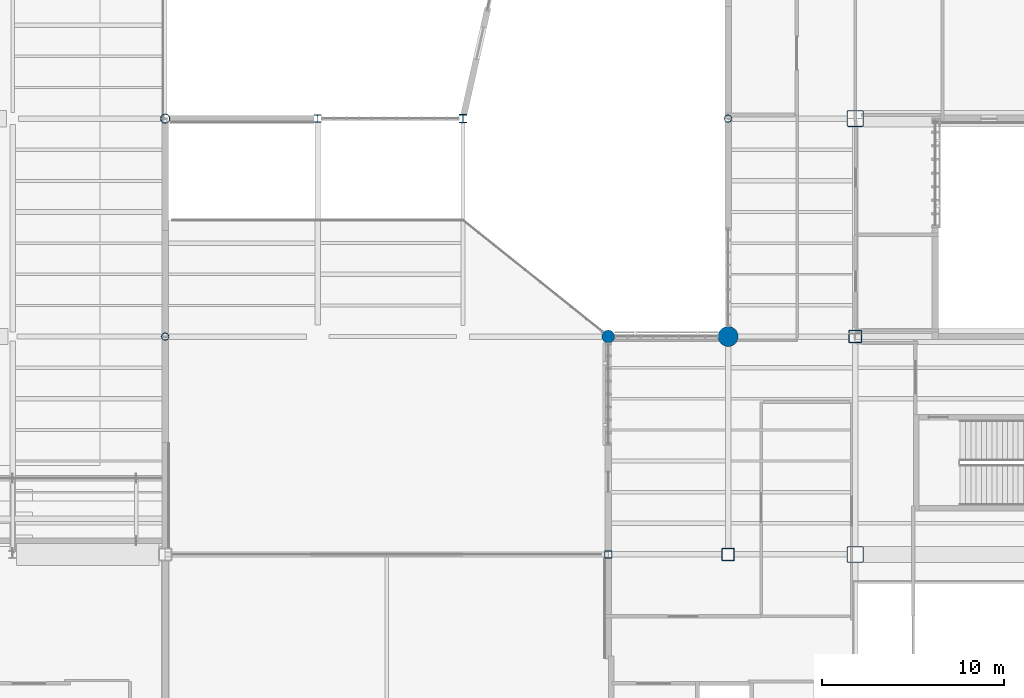
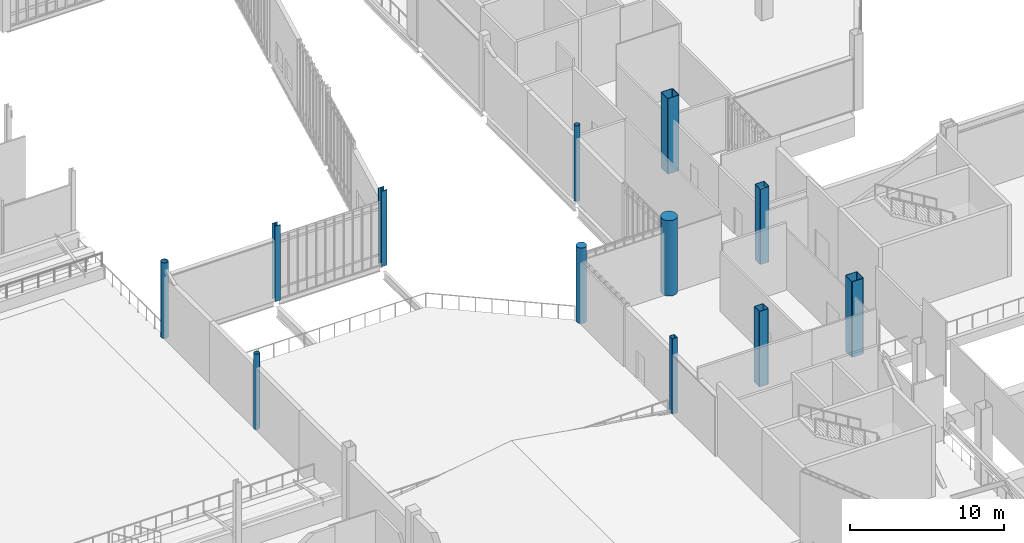
# One storey, part 4 of 135: 12 columns.
"""IFC4 building model written with IfcOpenShell, lengths in metres."""

from ifc_helpers import new_model, si_unit, direction, frame, origin, origin_2d, place, context, subcontext, project, spatial, hollow_rectangle, circle, hollow_circle, i_section, extrude, material, material_profile, profile_set, type_object, element, save


model = new_model("IFC4")

# Units and contexts
model_context = context("Model", 3, precision=1e-05, world=origin(), true_north=direction((0.0, 1.0)))
body_context = subcontext(model_context, "Body", "Model", "MODEL_VIEW")
ifc_project = project(units=[si_unit("LENGTHUNIT", "METRE"), si_unit("AREAUNIT", "SQUARE_METRE"), si_unit("VOLUMEUNIT", "CUBIC_METRE"), si_unit("PLANEANGLEUNIT", "RADIAN"), si_unit("MASSUNIT", "GRAM", prefix="KILO")], contexts=[model_context])

# Site, building, storey
site_placement = place(None, origin())
site = spatial("IfcSite", under=ifc_project, at=site_placement, CompositionType="ELEMENT")
building_placement = place(site_placement, origin())
building = spatial("IfcBuilding", under=site, at=building_placement, Name="Larkvane Passage Sports Hall", CompositionType="ELEMENT")
storey_placement = place(building_placement, frame((0.0, 0.0, 10.800048828125)))
storey = spatial("IfcBuildingStorey", under=building, at=storey_placement, Name="L02", CompositionType="ELEMENT", Elevation=10.800048828125)

# Columns
ifc_material_1 = material(Name="Concrete C50/60", Category="concrete")
ifc_material_profile_1 = material_profile(ifc_material_1, circle(Radius=0.550048828125, at=origin_2d()), Name="RC-CIR-1100")
ifc_profile_set_1 = profile_set([ifc_material_profile_1], Name="Concrete C50/60")
column_type_1 = type_object("IfcColumnType", Name="COL-CIR-1100", PredefinedType="COLUMN", material=ifc_profile_set_1)
column_1_placement = place(storey_placement, frame((124.60009765625, 51.60009765625, 0.0), z_axis=(0.0, 0.0, 1.0), x_axis=(1.0, 0.0, 0.0)))
element("IfcColumn", 1, at=column_1_placement, inside=storey, type_object=column_type_1, Name="Column 17/G L02", PredefinedType="COLUMN", context=body_context, shape_type="SweptSolid", body=[
    extrude(circle(Radius=0.550048828125, at=origin_2d()), origin(), (0.0, 0.0, 1.0), 6.0),
])
ifc_material_2 = material(Name="Concrete C40/50", Category="concrete")
ifc_material_profile_2 = material_profile(ifc_material_2, circle(Radius=0.35009765625, at=origin_2d()), Name="RC-CIR-700")
ifc_profile_set_2 = profile_set([ifc_material_profile_2], Name="Concrete C40/50")
column_type_2 = type_object("IfcColumnType", Name="COL-CIR-700", PredefinedType="COLUMN", material=ifc_profile_set_2)
column_2_placement = place(storey_placement, frame((118.0, 51.60009765625, 0.0), z_axis=(0.0, 0.0, 1.0), x_axis=(1.0, 0.0, 0.0)))
element("IfcColumn", 2, at=column_2_placement, inside=storey, type_object=column_type_2, Name="Column 16/G L02", PredefinedType="COLUMN", context=body_context, shape_type="SweptSolid", body=[
    extrude(circle(Radius=0.35009765625, at=origin_2d()), origin(), (0.0, 0.0, 1.0), 6.0),
])
ifc_material_3 = material(Name="Steel S460N", Category="steel")
ifc_material_profile_3 = material_profile(ifc_material_3, hollow_rectangle(XDim=0.699951171875, YDim=0.699951171875, WallThickness=0.028076171875, InnerFilletRadius=0.028076171875, OuterFilletRadius=0.055908203125, at=origin_2d()), Name="BOX-700x700x28")
ifc_profile_set_3 = profile_set([ifc_material_profile_3], Name="Steel S460N")
column_type_3 = type_object("IfcColumnType", Name="COL-STL-BOX700", PredefinedType="COLUMN", material=ifc_profile_set_3)
for number, where, z_axis, x_axis, name in (
    (3, (124.60009765625, 39.60009765625, 0.0), (0.0, 0.0, 1.0), (1.0, 0.0, 0.0), "Column 17/F L02"),
    (4, (131.60009765625, 51.60009765625, 0.0), (0.0, 0.0, 1.0), (1.0, 0.0, 0.0), "Column 18/G L02"),
):
    element("IfcColumn", number, at=place(storey_placement, frame(where, z_axis=z_axis, x_axis=x_axis)), inside=storey, type_object=column_type_3, Name=name, PredefinedType="COLUMN", context=body_context, shape_type="SweptSolid", body=[
        extrude(hollow_rectangle(XDim=0.699951171875, YDim=0.699951171875, WallThickness=0.028076171875, InnerFilletRadius=0.028076171875, OuterFilletRadius=0.055908203125, at=origin_2d()), origin(), (0.0, 0.0, 1.0), 6.0),
    ])
ifc_material_profile_4 = material_profile(ifc_material_3, hollow_rectangle(XDim=0.89990234375, YDim=0.89990234375, WallThickness=0.035888671875, InnerFilletRadius=0.035888671875, OuterFilletRadius=0.072021484375, at=origin_2d()), Name="BOX-900x900x36")
ifc_profile_set_4 = profile_set([ifc_material_profile_4], Name="Steel S460N")
column_type_4 = type_object("IfcColumnType", Name="COL-STL-BOX900", PredefinedType="COLUMN", material=ifc_profile_set_4)
for number, where, z_axis, x_axis, name in (
    (5, (131.60009765625, 39.60009765625, 0.0), (0.0, 0.0, 1.0), (1.0, 0.0, 0.0), "Column 18/F L02"),
    (6, (131.60009765625, 63.60009765625, 0.0), (0.0, 0.0, 1.0), (1.0, 0.0, 0.0), "Column 18/H L02"),
):
    element("IfcColumn", number, at=place(storey_placement, frame(where, z_axis=z_axis, x_axis=x_axis)), inside=storey, type_object=column_type_4, Name=name, PredefinedType="COLUMN", context=body_context, shape_type="SweptSolid", body=[
        extrude(hollow_rectangle(XDim=0.89990234375, YDim=0.89990234375, WallThickness=0.035888671875, InnerFilletRadius=0.035888671875, OuterFilletRadius=0.072021484375, at=origin_2d()), origin(), (0.0, 0.0, 1.0), 6.0),
    ])
ifc_material_4 = material(Name="Steel S355JR", Category="steel")
ifc_material_profile_5 = material_profile(ifc_material_4, hollow_circle(Radius=0.203125, WallThickness=0.01611328125, at=origin_2d()), Name="CHS-406.4x16.0")
ifc_profile_set_5 = profile_set([ifc_material_profile_5], Name="Steel S355JR")
column_type_5 = type_object("IfcColumnType", Name="COL-STL-CHS406", PredefinedType="COLUMN", material=ifc_profile_set_5)
for number, where, z_axis, x_axis, name in (
    (7, (93.60009765625, 51.60009765625, 0.0), (0.0, 0.0, 1.0), (1.0, 0.0, 0.0), "Column 13/G L02"),
    (8, (124.60009765625, 63.60009765625, 0.0), (0.0, 0.0, 1.0), (1.0, 0.0, 0.0), "Column 17/H L02"),
):
    element("IfcColumn", number, at=place(storey_placement, frame(where, z_axis=z_axis, x_axis=x_axis)), inside=storey, type_object=column_type_5, Name=name, PredefinedType="COLUMN", context=body_context, shape_type="SweptSolid", body=[
        extrude(hollow_circle(Radius=0.203125, WallThickness=0.01611328125, at=origin_2d()), origin(), (0.0, 0.0, 1.0), 6.0),
    ])
ifc_material_profile_6 = material_profile(ifc_material_3, hollow_circle(Radius=0.25390625, WallThickness=0.01904296875, at=origin_2d()), Name="CHS-508.0x19.0")
ifc_profile_set_6 = profile_set([ifc_material_profile_6], Name="Steel S460N")
column_type_6 = type_object("IfcColumnType", Name="COL-STL-CHS508", PredefinedType="COLUMN", material=ifc_profile_set_6)
column_3_placement = place(storey_placement, frame((93.60009765625, 63.60009765625, 0.0), z_axis=(0.0, 0.0, 1.0), x_axis=(1.0, 0.0, 0.0)))
element("IfcColumn", 9, at=column_3_placement, inside=storey, type_object=column_type_6, Name="Column 13/H L02", PredefinedType="COLUMN", context=body_context, shape_type="SweptSolid", body=[
    extrude(hollow_circle(Radius=0.25390625, WallThickness=0.01904296875, at=origin_2d()), origin(), (0.0, 0.0, 1.0), 6.0),
])
ifc_material_profile_7 = material_profile(ifc_material_3, i_section(OverallWidth=0.405029296875, OverallDepth=0.4140625, WebThickness=0.01806640625, FlangeThickness=0.028076171875, FilletRadius=0.02197265625, at=origin_2d()), Name="H-414x405x18x28")
ifc_profile_set_7 = profile_set([ifc_material_profile_7], Name="Steel S460N")
column_type_7 = type_object("IfcColumnType", Name="COL-STL-H414", PredefinedType="COLUMN", material=ifc_profile_set_7)
column_4_placement = place(storey_placement, frame((102.0, 63.60009765625, 0.0), z_axis=(0.0, 0.0, 1.0), x_axis=(1.0, 0.0, 0.0)))
element("IfcColumn", 10, at=column_4_placement, inside=storey, type_object=column_type_7, Name="Column 14/H L02", PredefinedType="COLUMN", context=body_context, shape_type="SweptSolid", body=[
    extrude(i_section(OverallWidth=0.405029296875, OverallDepth=0.4140625, WebThickness=0.01806640625, FlangeThickness=0.028076171875, FilletRadius=0.02197265625, at=origin_2d()), origin(), (0.0, 0.0, 1.0), 6.0),
])
ifc_material_profile_8 = material_profile(ifc_material_3, i_section(OverallWidth=0.4169921875, OverallDepth=0.4580078125, WebThickness=0.030029296875, FlangeThickness=0.0400390625, FilletRadius=0.02197265625, at=origin_2d()), Name="H-458x417x30x40")
ifc_profile_set_8 = profile_set([ifc_material_profile_8], Name="Steel S460N")
column_type_8 = type_object("IfcColumnType", Name="COL-STL-H458", PredefinedType="COLUMN", material=ifc_profile_set_8)
column_5_placement = place(storey_placement, frame((110.0, 63.60009765625, 0.0), z_axis=(0.0, 0.0, 1.0), x_axis=(1.0, 0.0, 0.0)))
element("IfcColumn", 11, at=column_5_placement, inside=storey, type_object=column_type_8, Name="Column 15/H L02", PredefinedType="COLUMN", context=body_context, shape_type="SweptSolid", body=[
    extrude(i_section(OverallWidth=0.4169921875, OverallDepth=0.4580078125, WebThickness=0.030029296875, FlangeThickness=0.0400390625, FilletRadius=0.02197265625, at=origin_2d()), origin(), (0.0, 0.0, 1.0), 6.0),
])
ifc_material_profile_9 = material_profile(ifc_material_3, hollow_rectangle(XDim=0.39990234375, YDim=0.39990234375, WallThickness=0.01904296875, InnerFilletRadius=0.01904296875, OuterFilletRadius=0.0380859375, at=origin_2d()), Name="SHS-400x400x19")
ifc_profile_set_9 = profile_set([ifc_material_profile_9], Name="Steel S460N")
column_type_9 = type_object("IfcColumnType", Name="COL-STL-SHS400", PredefinedType="COLUMN", material=ifc_profile_set_9)
column_6_placement = place(storey_placement, frame((118.0, 39.60009765625, 0.0), z_axis=(0.0, 0.0, 1.0), x_axis=(1.0, 0.0, 0.0)))
element("IfcColumn", 12, at=column_6_placement, inside=storey, type_object=column_type_9, Name="Column 16/F L02", PredefinedType="COLUMN", context=body_context, shape_type="SweptSolid", body=[
    extrude(hollow_rectangle(XDim=0.39990234375, YDim=0.39990234375, WallThickness=0.01904296875, InnerFilletRadius=0.01904296875, OuterFilletRadius=0.0380859375, at=origin_2d()), origin(), (0.0, 0.0, 1.0), 6.0),
])

save(model, "model.ifc")
